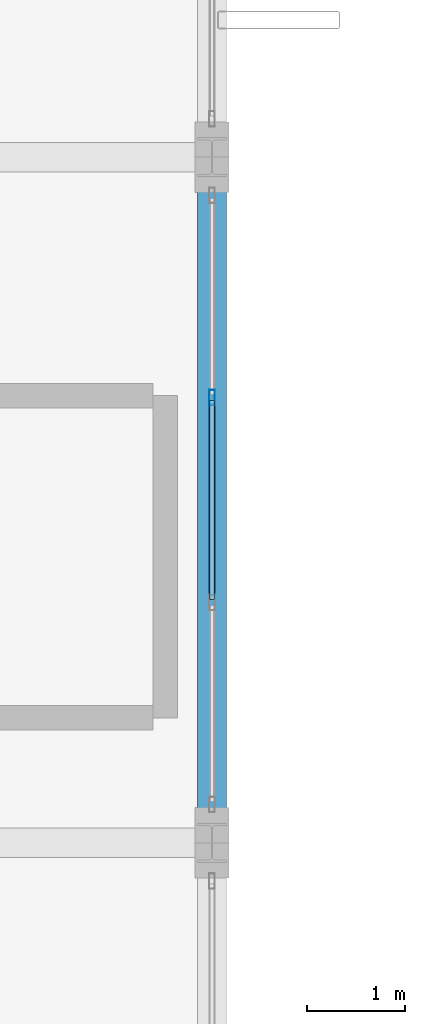
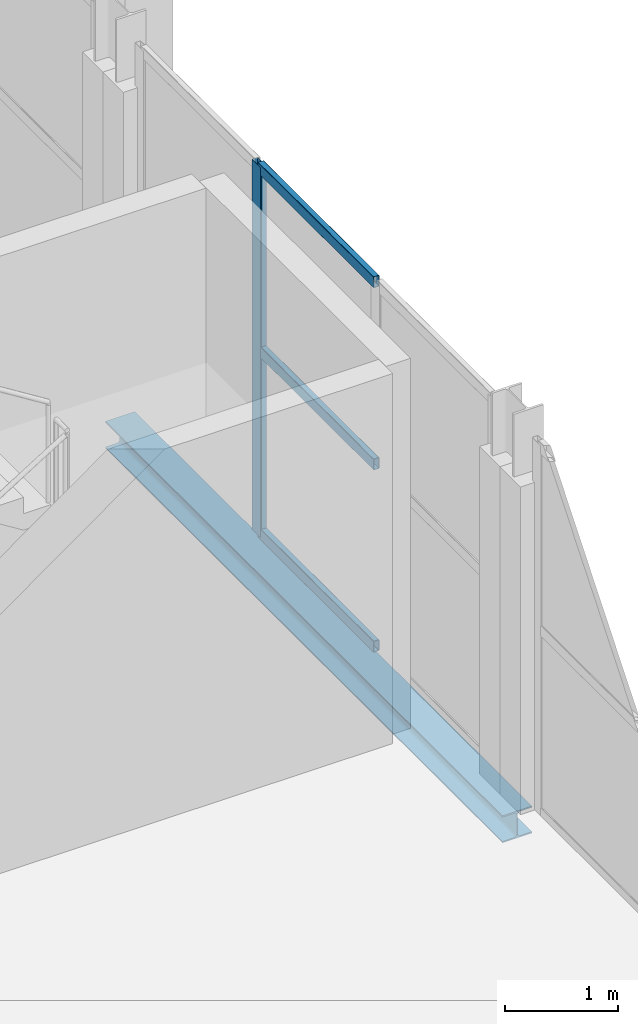
# One storey, part 35 of 101: 4 members, 1 beam, 1 element without a shape of its own.
"""IFC4 building model written with IfcOpenShell, lengths in metres."""

from ifc_helpers import new_model, si_unit, direction, frame, origin, origin_2d, place, context, subcontext, project, spatial, hollow_rectangle, i_section, extrude, material, layer, layer_set, material_profile, profile_set, type_object, element, aggregate, save


model = new_model("IFC4")

# Units and contexts
model_context = context("Model", 3, precision=1e-05, world=origin(), true_north=direction((0.0, 1.0)))
body_context = subcontext(model_context, "Body", "Model", "MODEL_VIEW")
ifc_project = project(units=[si_unit("LENGTHUNIT", "METRE"), si_unit("AREAUNIT", "SQUARE_METRE"), si_unit("VOLUMEUNIT", "CUBIC_METRE"), si_unit("PLANEANGLEUNIT", "RADIAN"), si_unit("MASSUNIT", "GRAM", prefix="KILO")], contexts=[model_context])

# Site, building, storey
site_placement = place(None, origin())
site = spatial("IfcSite", under=ifc_project, at=site_placement, CompositionType="ELEMENT")
building_placement = place(site_placement, origin())
building = spatial("IfcBuilding", under=site, at=building_placement, Name="Vekula Escarpment Museum", CompositionType="ELEMENT")
storey_placement = place(building_placement, frame((0.0, 0.0, 18.0)))
storey = spatial("IfcBuildingStorey", under=building, at=storey_placement, Name="L04", CompositionType="ELEMENT", Elevation=18.0)

# Beam
ifc_material_1 = material(Name="Steel S355", Category="steel")
ifc_material_profile_1 = material_profile(ifc_material_1, i_section(OverallWidth=0.300048828125, OverallDepth=0.2900390625, WebThickness=0.008544921875, FlangeThickness=0.013916015625, FilletRadius=0.027099609375, at=origin_2d()), Name="HEA 300")
ifc_profile_set_1 = profile_set([ifc_material_profile_1], Name="Steel S355")
beam_type = type_object("IfcBeamType", Name="BM-SPAN-HEA300", PredefinedType="SPANDREL", material=ifc_profile_set_1)
beam_placement = place(storey_placement, frame((126.0, 52.60009765625, -0.385009765625), z_axis=(0.0, 1.0, 0.0), x_axis=(-1.0, 0.0, 0.0)))
element("IfcBeam", 1, at=beam_placement, inside=storey, type_object=beam_type, Name="Beam Y L04 1912", PredefinedType="SPANDREL", context=body_context, shape_type="SweptSolid", body=[
    extrude(i_section(OverallWidth=0.300048828125, OverallDepth=0.2900390625, WebThickness=0.008544921875, FlangeThickness=0.013916015625, FilletRadius=0.027099609375, at=origin_2d()), origin(), (0.0, 0.0, 1.0), 7.0),
])

# Curtain wall, members
ifc_material_2 = material(Name="Aluminium thermally broken framing", Category="aluminium")
ifc_layer = layer(ifc_material_2, 0.169921875)
ifc_layer_set = layer_set([ifc_layer], Name="Aluminium thermally broken framing")
curtain_wall_type = type_object("IfcCurtainWallType", Name="CW-SYS-10", PredefinedType="NOTDEFINED", material=ifc_layer_set)
curtain_wall_placement = place(storey_placement, origin())
curtain_wall = element("IfcCurtainWall", 2, at=curtain_wall_placement, inside=storey, type_object=curtain_wall_type, Name="Curtain Wall CW-L04-140", PredefinedType="NOTDEFINED")
ifc_material_3 = material(Name="Aluminium anodized mullion", Category="aluminium")
ifc_material_profile_2 = material_profile(ifc_material_3, hollow_rectangle(XDim=0.06005859375, YDim=0.159912109375, WallThickness=0.00390625, InnerFilletRadius=0.00390625, OuterFilletRadius=0.008056640625, at=origin_2d()), Name="ALU 160x60x4")
ifc_profile_set_2 = profile_set([ifc_material_profile_2], Name="Aluminium anodized mullion")
member_type_1 = type_object("IfcMemberType", Name="CW-MUL-160", PredefinedType="MULLION", material=ifc_profile_set_2)
member_1_placement = place(storey_placement, frame((126.0, 57.146728515625, 0.0), z_axis=(0.0, 0.0, 1.0), x_axis=(-1.0, 0.0, 0.0)))
member_1 = element("IfcMember", 3, at=member_1_placement, type_object=member_type_1, Name="CW-10 mullion 3", PredefinedType="MULLION", context=body_context, shape_type="SweptSolid", body=[
    extrude(hollow_rectangle(XDim=0.06005859375, YDim=0.159912109375, WallThickness=0.00390625, InnerFilletRadius=0.00390625, OuterFilletRadius=0.008056640625, at=origin_2d()), origin(), (0.0, 0.0, 1.0), 3.97998046875),
])
ifc_material_4 = material(Name="Aluminium anodized transom", Category="aluminium")
ifc_material_profile_3 = material_profile(ifc_material_4, hollow_rectangle(XDim=0.06005859375, YDim=0.1201171875, WallThickness=0.00390625, InnerFilletRadius=0.00390625, OuterFilletRadius=0.008056640625, at=origin_2d()), Name="ALU 120x60x4")
ifc_profile_set_3 = profile_set([ifc_material_profile_3], Name="Aluminium anodized transom")
member_type_2 = type_object("IfcMemberType", Name="CW-TRN-120", PredefinedType="USERDEFINED", material=ifc_profile_set_3)
member_2_placement = place(storey_placement, frame((126.0, 55.083251953125, 0.030029296875), z_axis=(0.0, 1.0, 0.0), x_axis=(-1.0, 0.0, 0.0)))
member_2 = element("IfcMember", 4, at=member_2_placement, type_object=member_type_2, Name="CW-10 transom 2.1", ObjectType="TRANSOM", PredefinedType="USERDEFINED", context=body_context, shape_type="SweptSolid", body=[
    extrude(hollow_rectangle(XDim=0.06005859375, YDim=0.1201171875, WallThickness=0.00390625, InnerFilletRadius=0.00390625, OuterFilletRadius=0.008056640625, at=origin_2d()), origin(), (0.0, 0.0, 1.0), 2.033447265625),
])
member_3_placement = place(storey_placement, frame((126.0, 55.083251953125, 1.989990234375), z_axis=(0.0, 1.0, 0.0), x_axis=(-1.0, 0.0, 0.0)))
member_3 = element("IfcMember", 5, at=member_3_placement, type_object=member_type_2, Name="CW-10 transom 2.2", ObjectType="TRANSOM", PredefinedType="USERDEFINED", context=body_context, shape_type="SweptSolid", body=[
    extrude(hollow_rectangle(XDim=0.06005859375, YDim=0.1201171875, WallThickness=0.00390625, InnerFilletRadius=0.00390625, OuterFilletRadius=0.008056640625, at=origin_2d()), origin(), (0.0, 0.0, 1.0), 2.033447265625),
])
member_4_placement = place(storey_placement, frame((126.0, 55.083251953125, 3.949951171875), z_axis=(0.0, 1.0, 0.0), x_axis=(-1.0, 0.0, 0.0)))
member_4 = element("IfcMember", 6, at=member_4_placement, type_object=member_type_2, Name="CW-10 transom 2.3", ObjectType="TRANSOM", PredefinedType="USERDEFINED", context=body_context, shape_type="SweptSolid", body=[
    extrude(hollow_rectangle(XDim=0.06005859375, YDim=0.1201171875, WallThickness=0.00390625, InnerFilletRadius=0.00390625, OuterFilletRadius=0.008056640625, at=origin_2d()), origin(), (0.0, 0.0, 1.0), 2.033447265625),
])
aggregate(curtain_wall, [member_1, member_2, member_3, member_4])

save(model, "model.ifc")
